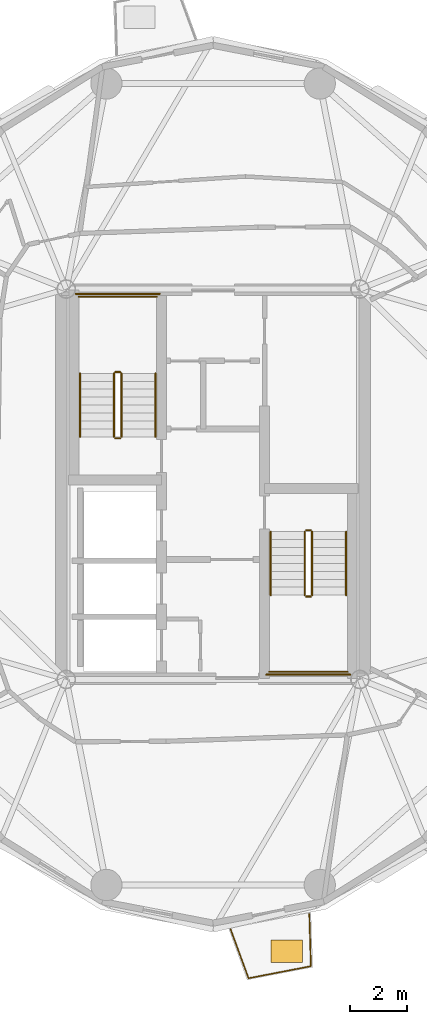
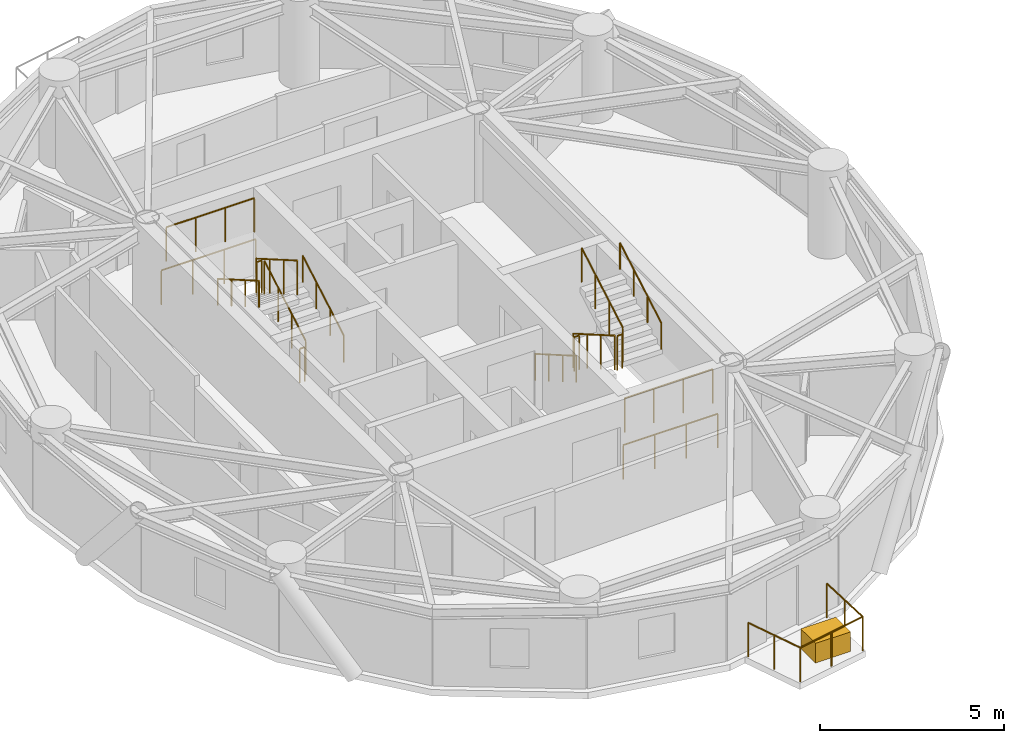
# One storey, part 14 of 16: 17 railings, 1 covering.
"""IFC4 building model written with IfcOpenShell, lengths in metres."""

from ifc_helpers import new_model, si_unit, direction, frame, origin, origin_2d, place, context, subcontext, project, spatial, rectangle, circle, extrude, source, transform, mapped, material, layer, layer_set, type_object, element, save


model = new_model("IFC4")

# Units and contexts
model_context = context("Model", 3, precision=1e-05, world=origin(), true_north=direction((0.0, 1.0)))
body_context = subcontext(model_context, "Body", "Model", "MODEL_VIEW")
ifc_project = project(units=[si_unit("LENGTHUNIT", "METRE"), si_unit("AREAUNIT", "SQUARE_METRE"), si_unit("VOLUMEUNIT", "CUBIC_METRE"), si_unit("PLANEANGLEUNIT", "RADIAN"), si_unit("MASSUNIT", "GRAM", prefix="KILO")], contexts=[model_context])

# Site, building, storey
site_placement = place(None, origin())
site = spatial("IfcSite", under=ifc_project, at=site_placement, CompositionType="ELEMENT")
building_placement = place(site_placement, origin())
building = spatial("IfcBuilding", under=site, at=building_placement, Name="Cununo Teusaquillo Station Towers", CompositionType="ELEMENT")
storey_placement = place(building_placement, frame((0.0, 0.0, 217.030029296875)))
storey = spatial("IfcBuildingStorey", under=building, at=storey_placement, Name="L69", CompositionType="ELEMENT", Elevation=217.030029296875)

# Railings
ifc_material_1 = material(Name="Anodised dark bronze aluminium EN AW-6063-T6", Category="aluminium")
railing_type_1 = type_object("IfcRailingType", Name="RL-EXT-GUARD", PredefinedType="GUARDRAIL", material=ifc_material_1)
railing_1_placement = place(storey_placement, frame((19.892578125, 9.356201171875, 0.0)))
element("IfcRailing", 1, at=railing_1_placement, inside=storey, type_object=railing_type_1, Name="L69 Tower A Balcony Guardrail C15", PredefinedType="GUARDRAIL", context=body_context, shape_type="SweptSolid", body=[
    extrude(circle(Radius=0.02392578125, at=origin_2d()), frame((0.0, 0.0, 1.1259765625), z_axis=(0.030305152758, -0.999540693377, 0.0), x_axis=(0.999540693377, 0.030305152758, 0.0)), (0.0, 0.0, 1.0), 1.8447265625),
    extrude(circle(Radius=0.02392578125, at=origin_2d()), frame((0.055908203125, -1.843994140625, 1.1259765625), z_axis=(-0.981834932982, -0.18973709278, 0.0), x_axis=(0.18973709278, -0.981834932982, 0.0)), (0.0, 0.0, 1.0), 2.239013671875),
    extrude(circle(Radius=0.02392578125, at=origin_2d()), frame((-2.142333984375, -2.268798828125, 1.1259765625), z_axis=(-0.344196323776, 0.938897699805, 0.0), x_axis=(-0.938897699805, -0.344196323776, 0.0)), (0.0, 0.0, 1.0), 1.844970703125),
    extrude(circle(Radius=0.02099609375, at=origin_2d()), origin(), (0.0, 0.0, 1.0), 1.101806640625),
    extrude(circle(Radius=0.02099609375, at=origin_2d()), frame((0.02783203125, -0.921875, 0.0)), (0.0, 0.0, 1.0), 1.101806640625),
    extrude(circle(Radius=0.02099609375, at=origin_2d()), frame((0.055908203125, -1.843994140625, 0.0)), (0.0, 0.0, 1.0), 1.101806640625),
    extrude(circle(Radius=0.02099609375, at=origin_2d()), frame((-1.043212890625, -2.056396484375, 0.0)), (0.0, 0.0, 1.0), 1.101806640625),
    extrude(circle(Radius=0.02099609375, at=origin_2d()), frame((-2.142333984375, -2.268798828125, 0.0)), (0.0, 0.0, 1.0), 1.101806640625),
    extrude(circle(Radius=0.02099609375, at=origin_2d()), frame((-2.4599609375, -1.40283203125, 0.0)), (0.0, 0.0, 1.0), 1.101806640625),
    extrude(circle(Radius=0.02099609375, at=origin_2d()), frame((-2.77734375, -0.53662109375, 0.0)), (0.0, 0.0, 1.0), 1.101806640625),
])
ifc_material_2 = material(Name="Steel EN 10025-2 S355J2", Category="steel")
railing_type_2 = type_object("IfcRailingType", Name="RL-INT-GUARD", PredefinedType="GUARDRAIL", material=ifc_material_2)
railing_2_placement = place(storey_placement, frame((13.27001953125, 26.169921875, 0.16162109375)))
element("IfcRailing", 2, at=railing_2_placement, inside=storey, type_object=railing_type_2, Name="L69 ST-T1-1 stair guard 1", PredefinedType="GUARDRAIL", context=body_context, shape_type="SweptSolid", body=[
    extrude(circle(Radius=0.02392578125, at=origin_2d()), frame((0.0, 0.0, 1.1259765625), z_axis=(0.0, 0.865992244559, 0.500057429065), x_axis=(-1.0, 0.0, 0.0)), (0.0, 0.0, 1.0), 2.586669921875),
    extrude(circle(Radius=0.02099609375, at=origin_2d()), origin(), (0.0, 0.0, 1.0), 1.101806640625),
    extrude(circle(Radius=0.02099609375, at=origin_2d()), frame((0.0, 0.74658203125, 0.43115234375)), (0.0, 0.0, 1.0), 1.101806640625),
    extrude(circle(Radius=0.02099609375, at=origin_2d()), frame((0.0, 1.493408203125, 0.8623046875)), (0.0, 0.0, 1.0), 1.101806640625),
    extrude(circle(Radius=0.02099609375, at=origin_2d()), frame((0.0, 2.239990234375, 1.29345703125)), (0.0, 0.0, 1.0), 1.101806640625),
])
railing_3_placement = place(storey_placement, frame((13.219970703125, 28.4599609375, 1.455078125)))
element("IfcRailing", 3, at=railing_3_placement, inside=storey, type_object=railing_type_2, Name="L69 ST-T1-1 stair guard 2", PredefinedType="GUARDRAIL", context=body_context, shape_type="SweptSolid", body=[
    extrude(circle(Radius=0.02392578125, at=origin_2d()), frame((0.0, 0.0, 1.1259765625), z_axis=(-1.0, 0.0, 0.0), x_axis=(0.0, -1.0, 0.0)), (0.0, 0.0, 1.0), 0.159912109375),
    extrude(circle(Radius=0.02099609375, at=origin_2d()), origin(), (0.0, 0.0, 1.0), 1.101806640625),
    extrude(circle(Radius=0.02099609375, at=origin_2d()), frame((-0.159912109375, 0.0, 0.0)), (0.0, 0.0, 1.0), 1.101806640625),
])
railing_4_placement = place(storey_placement, frame((14.52001953125, 31.110107421875, 1.455078125)))
element("IfcRailing", 4, at=railing_4_placement, inside=storey, type_object=railing_type_2, Name="L69 ST-T1-1 stair guard 3", PredefinedType="GUARDRAIL", context=body_context, shape_type="SweptSolid", body=[
    extrude(circle(Radius=0.02392578125, at=origin_2d()), frame((0.0, 0.0, 1.1259765625), z_axis=(-1.0, 0.0, 0.0), x_axis=(0.0, -1.0, 0.0)), (0.0, 0.0, 1.0), 2.760009765625),
    extrude(circle(Radius=0.02099609375, at=origin_2d()), origin(), (0.0, 0.0, 1.0), 1.101806640625),
    extrude(circle(Radius=0.02099609375, at=origin_2d()), frame((-0.919921875, 0.0, 0.0)), (0.0, 0.0, 1.0), 1.101806640625),
    extrude(circle(Radius=0.02099609375, at=origin_2d()), frame((-1.840087890625, 0.0, 0.0)), (0.0, 0.0, 1.0), 1.101806640625),
    extrude(circle(Radius=0.02099609375, at=origin_2d()), frame((-2.760009765625, 0.0, 0.0)), (0.0, 0.0, 1.0), 1.101806640625),
])
railing_5_placement = place(storey_placement, frame((13.010009765625, 28.409912109375, 1.61669921875)))
element("IfcRailing", 5, at=railing_5_placement, inside=storey, type_object=railing_type_2, Name="L69 ST-T1-1 stair guard 4", PredefinedType="GUARDRAIL", context=body_context, shape_type="SweptSolid", body=[
    extrude(circle(Radius=0.02392578125, at=origin_2d()), frame((0.0, 0.0, 1.1259765625), z_axis=(0.0, -0.866033117094, 0.499986639918), x_axis=(1.0, 0.0, 0.0)), (0.0, 0.0, 1.0), 2.58642578125),
    extrude(circle(Radius=0.02099609375, at=origin_2d()), origin(), (0.0, 0.0, 1.0), 1.101806640625),
    extrude(circle(Radius=0.02099609375, at=origin_2d()), frame((0.0, -0.74658203125, 0.43115234375)), (0.0, 0.0, 1.0), 1.101806640625),
    extrude(circle(Radius=0.02099609375, at=origin_2d()), frame((0.0, -1.493408203125, 0.862060546875)), (0.0, 0.0, 1.0), 1.101806640625),
    extrude(circle(Radius=0.02099609375, at=origin_2d()), frame((0.0, -2.239990234375, 1.293212890625)), (0.0, 0.0, 1.0), 1.101806640625),
])
railing_6_placement = place(storey_placement, frame((13.219970703125, 26.1201171875, 0.0)))
element("IfcRailing", 6, at=railing_6_placement, inside=storey, type_object=railing_type_2, Name="L69 ST-T1-1 stair guard 5", PredefinedType="GUARDRAIL", context=body_context, shape_type="SweptSolid", body=[
    extrude(circle(Radius=0.02392578125, at=origin_2d()), frame((0.0, 0.0, 1.1259765625), z_axis=(-1.0, 0.0, 0.0), x_axis=(0.0, -1.0, 0.0)), (0.0, 0.0, 1.0), 0.159912109375),
    extrude(circle(Radius=0.02099609375, at=origin_2d()), origin(), (0.0, 0.0, 1.0), 1.101806640625),
    extrude(circle(Radius=0.02099609375, at=origin_2d()), frame((-0.159912109375, 0.0, 0.0)), (0.0, 0.0, 1.0), 1.101806640625),
])
railing_7_placement = place(storey_placement, frame((14.6201171875, 31.2099609375, 0.0)))
element("IfcRailing", 7, at=railing_7_placement, inside=storey, type_object=railing_type_2, Name="L69 ST-T1-1 stair guard 6", PredefinedType="GUARDRAIL", context=body_context, shape_type="SweptSolid", body=[
    extrude(circle(Radius=0.02392578125, at=origin_2d()), frame((0.0, 0.0, 1.1259765625), z_axis=(-1.0, 0.0, 0.0), x_axis=(0.0, -1.0, 0.0)), (0.0, 0.0, 1.0), 2.960205078125),
    extrude(circle(Radius=0.02099609375, at=origin_2d()), origin(), (0.0, 0.0, 1.0), 1.101806640625),
    extrude(circle(Radius=0.02099609375, at=origin_2d()), frame((-0.98681640625, 0.0, 0.0)), (0.0, 0.0, 1.0), 1.101806640625),
    extrude(circle(Radius=0.02099609375, at=origin_2d()), frame((-1.973388671875, 0.0, 0.0)), (0.0, 0.0, 1.0), 1.101806640625),
    extrude(circle(Radius=0.02099609375, at=origin_2d()), frame((-2.960205078125, 0.0, 0.0)), (0.0, 0.0, 1.0), 1.101806640625),
])
railing_8_placement = place(storey_placement, frame((19.72998046875, 22.830078125, 0.16162109375)))
element("IfcRailing", 8, at=railing_8_placement, inside=storey, type_object=railing_type_2, Name="L69 ST-T1-2 stair guard 1", PredefinedType="GUARDRAIL", context=body_context, shape_type="SweptSolid", body=[
    extrude(circle(Radius=0.02392578125, at=origin_2d()), frame((0.0, 0.0, 1.1259765625), z_axis=(0.0, -0.865992244559, 0.500057429065), x_axis=(1.0, 0.0, 0.0)), (0.0, 0.0, 1.0), 2.586669921875),
    extrude(circle(Radius=0.02099609375, at=origin_2d()), origin(), (0.0, 0.0, 1.0), 1.101806640625),
    extrude(circle(Radius=0.02099609375, at=origin_2d()), frame((0.0, -0.74658203125, 0.43115234375)), (0.0, 0.0, 1.0), 1.101806640625),
    extrude(circle(Radius=0.02099609375, at=origin_2d()), frame((0.0, -1.493408203125, 0.8623046875)), (0.0, 0.0, 1.0), 1.101806640625),
    extrude(circle(Radius=0.02099609375, at=origin_2d()), frame((0.0, -2.239990234375, 1.29345703125)), (0.0, 0.0, 1.0), 1.101806640625),
])
railing_9_placement = place(storey_placement, frame((19.780029296875, 20.5400390625, 1.455078125)))
element("IfcRailing", 9, at=railing_9_placement, inside=storey, type_object=railing_type_2, Name="L69 ST-T1-2 stair guard 2", PredefinedType="GUARDRAIL", context=body_context, shape_type="SweptSolid", body=[
    extrude(circle(Radius=0.02392578125, at=origin_2d()), frame((0.0, 0.0, 1.1259765625), z_axis=(1.0, 0.0, 0.0), x_axis=(0.0, 1.0, 0.0)), (0.0, 0.0, 1.0), 0.159912109375),
    extrude(circle(Radius=0.02099609375, at=origin_2d()), origin(), (0.0, 0.0, 1.0), 1.101806640625),
    extrude(circle(Radius=0.02099609375, at=origin_2d()), frame((0.159912109375, 0.0, 0.0)), (0.0, 0.0, 1.0), 1.101806640625),
])
railing_10_placement = place(storey_placement, frame((18.47998046875, 17.889892578125, 1.455078125)))
element("IfcRailing", 10, at=railing_10_placement, inside=storey, type_object=railing_type_2, Name="L69 ST-T1-2 stair guard 3", PredefinedType="GUARDRAIL", context=body_context, shape_type="SweptSolid", body=[
    extrude(circle(Radius=0.02392578125, at=origin_2d()), frame((0.0, 0.0, 1.1259765625), z_axis=(1.0, 0.0, 0.0), x_axis=(0.0, 1.0, 0.0)), (0.0, 0.0, 1.0), 2.760009765625),
    extrude(circle(Radius=0.02099609375, at=origin_2d()), origin(), (0.0, 0.0, 1.0), 1.101806640625),
    extrude(circle(Radius=0.02099609375, at=origin_2d()), frame((0.919921875, 0.0, 0.0)), (0.0, 0.0, 1.0), 1.101806640625),
    extrude(circle(Radius=0.02099609375, at=origin_2d()), frame((1.840087890625, 0.0, 0.0)), (0.0, 0.0, 1.0), 1.101806640625),
    extrude(circle(Radius=0.02099609375, at=origin_2d()), frame((2.760009765625, 0.0, 0.0)), (0.0, 0.0, 1.0), 1.101806640625),
])
railing_11_placement = place(storey_placement, frame((19.989990234375, 20.590087890625, 1.61669921875)))
element("IfcRailing", 11, at=railing_11_placement, inside=storey, type_object=railing_type_2, Name="L69 ST-T1-2 stair guard 4", PredefinedType="GUARDRAIL", context=body_context, shape_type="SweptSolid", body=[
    extrude(circle(Radius=0.02392578125, at=origin_2d()), frame((0.0, 0.0, 1.1259765625), z_axis=(0.0, 0.866033117094, 0.499986639918), x_axis=(-1.0, 0.0, 0.0)), (0.0, 0.0, 1.0), 2.58642578125),
    extrude(circle(Radius=0.02099609375, at=origin_2d()), origin(), (0.0, 0.0, 1.0), 1.101806640625),
    extrude(circle(Radius=0.02099609375, at=origin_2d()), frame((0.0, 0.74658203125, 0.43115234375)), (0.0, 0.0, 1.0), 1.101806640625),
    extrude(circle(Radius=0.02099609375, at=origin_2d()), frame((0.0, 1.493408203125, 0.862060546875)), (0.0, 0.0, 1.0), 1.101806640625),
    extrude(circle(Radius=0.02099609375, at=origin_2d()), frame((0.0, 2.239990234375, 1.293212890625)), (0.0, 0.0, 1.0), 1.101806640625),
])
railing_12_placement = place(storey_placement, frame((19.780029296875, 22.8798828125, 0.0)))
element("IfcRailing", 12, at=railing_12_placement, inside=storey, type_object=railing_type_2, Name="L69 ST-T1-2 stair guard 5", PredefinedType="GUARDRAIL", context=body_context, shape_type="SweptSolid", body=[
    extrude(circle(Radius=0.02392578125, at=origin_2d()), frame((0.0, 0.0, 1.1259765625), z_axis=(1.0, 0.0, 0.0), x_axis=(0.0, 1.0, 0.0)), (0.0, 0.0, 1.0), 0.159912109375),
    extrude(circle(Radius=0.02099609375, at=origin_2d()), origin(), (0.0, 0.0, 1.0), 1.101806640625),
    extrude(circle(Radius=0.02099609375, at=origin_2d()), frame((0.159912109375, 0.0, 0.0)), (0.0, 0.0, 1.0), 1.101806640625),
])
railing_13_placement = place(storey_placement, frame((18.3798828125, 17.7900390625, 0.0)))
element("IfcRailing", 13, at=railing_13_placement, inside=storey, type_object=railing_type_2, Name="L69 ST-T1-2 stair guard 6", PredefinedType="GUARDRAIL", context=body_context, shape_type="SweptSolid", body=[
    extrude(circle(Radius=0.02392578125, at=origin_2d()), frame((0.0, 0.0, 1.1259765625), z_axis=(1.0, 0.0, 0.0), x_axis=(0.0, 1.0, 0.0)), (0.0, 0.0, 1.0), 2.960205078125),
    extrude(circle(Radius=0.02099609375, at=origin_2d()), origin(), (0.0, 0.0, 1.0), 1.101806640625),
    extrude(circle(Radius=0.02099609375, at=origin_2d()), frame((0.98681640625, 0.0, 0.0)), (0.0, 0.0, 1.0), 1.101806640625),
    extrude(circle(Radius=0.02099609375, at=origin_2d()), frame((1.973388671875, 0.0, 0.0)), (0.0, 0.0, 1.0), 1.101806640625),
    extrude(circle(Radius=0.02099609375, at=origin_2d()), frame((2.960205078125, 0.0, 0.0)), (0.0, 0.0, 1.0), 1.101806640625),
])
ifc_material_3 = material(Name="Steel EN 10025-2 S355J2", Category="steel")
railing_type_3 = type_object("IfcRailingType", Name="RL-INT-HRAIL", PredefinedType="HANDRAIL", material=ifc_material_3)
railing_14_placement = place(storey_placement, frame((14.469970703125, 26.169921875, 0.16162109375)))
element("IfcRailing", 14, at=railing_14_placement, inside=storey, type_object=railing_type_3, Name="L69 ST-T1-1 stair handrail 1", PredefinedType="HANDRAIL", context=body_context, shape_type="SweptSolid", body=[
    extrude(circle(Radius=0.02392578125, at=origin_2d()), frame((0.0, 0.0, 0.8759765625), z_axis=(0.0, 0.865992244559, 0.500057429065), x_axis=(-1.0, 0.0, 0.0)), (0.0, 0.0, 1.0), 2.586669921875),
    extrude(circle(Radius=0.02099609375, at=origin_2d()), origin(), (0.0, 0.0, 1.0), 0.851806640625),
    extrude(circle(Radius=0.02099609375, at=origin_2d()), frame((0.0, 0.74658203125, 0.43115234375)), (0.0, 0.0, 1.0), 0.851806640625),
    extrude(circle(Radius=0.02099609375, at=origin_2d()), frame((0.0, 1.493408203125, 0.8623046875)), (0.0, 0.0, 1.0), 0.851806640625),
    extrude(circle(Radius=0.02099609375, at=origin_2d()), frame((0.0, 2.239990234375, 1.29345703125)), (0.0, 0.0, 1.0), 0.851806640625),
])
railing_15_placement = place(storey_placement, frame((11.81005859375, 28.409912109375, 1.61669921875)))
element("IfcRailing", 15, at=railing_15_placement, inside=storey, type_object=railing_type_3, Name="L69 ST-T1-1 stair handrail 2", PredefinedType="HANDRAIL", context=body_context, shape_type="SweptSolid", body=[
    extrude(circle(Radius=0.02392578125, at=origin_2d()), frame((0.0, 0.0, 0.8759765625), z_axis=(0.0, -0.866033117094, 0.499986639918), x_axis=(1.0, 0.0, 0.0)), (0.0, 0.0, 1.0), 2.58642578125),
    extrude(circle(Radius=0.02099609375, at=origin_2d()), origin(), (0.0, 0.0, 1.0), 0.851806640625),
    extrude(circle(Radius=0.02099609375, at=origin_2d()), frame((0.0, -0.74658203125, 0.43115234375)), (0.0, 0.0, 1.0), 0.851806640625),
    extrude(circle(Radius=0.02099609375, at=origin_2d()), frame((0.0, -1.493408203125, 0.862060546875)), (0.0, 0.0, 1.0), 0.851806640625),
    extrude(circle(Radius=0.02099609375, at=origin_2d()), frame((0.0, -2.239990234375, 1.293212890625)), (0.0, 0.0, 1.0), 0.851806640625),
])
railing_16_placement = place(storey_placement, frame((18.530029296875, 22.830078125, 0.16162109375)))
element("IfcRailing", 16, at=railing_16_placement, inside=storey, type_object=railing_type_3, Name="L69 ST-T1-2 stair handrail 1", PredefinedType="HANDRAIL", context=body_context, shape_type="SweptSolid", body=[
    extrude(circle(Radius=0.02392578125, at=origin_2d()), frame((0.0, 0.0, 0.8759765625), z_axis=(0.0, -0.865992244559, 0.500057429065), x_axis=(1.0, 0.0, 0.0)), (0.0, 0.0, 1.0), 2.586669921875),
    extrude(circle(Radius=0.02099609375, at=origin_2d()), origin(), (0.0, 0.0, 1.0), 0.851806640625),
    extrude(circle(Radius=0.02099609375, at=origin_2d()), frame((0.0, -0.74658203125, 0.43115234375)), (0.0, 0.0, 1.0), 0.851806640625),
    extrude(circle(Radius=0.02099609375, at=origin_2d()), frame((0.0, -1.493408203125, 0.8623046875)), (0.0, 0.0, 1.0), 0.851806640625),
    extrude(circle(Radius=0.02099609375, at=origin_2d()), frame((0.0, -2.239990234375, 1.29345703125)), (0.0, 0.0, 1.0), 0.851806640625),
])
railing_17_placement = place(storey_placement, frame((21.18994140625, 20.590087890625, 1.61669921875)))
element("IfcRailing", 17, at=railing_17_placement, inside=storey, type_object=railing_type_3, Name="L69 ST-T1-2 stair handrail 2", PredefinedType="HANDRAIL", context=body_context, shape_type="SweptSolid", body=[
    extrude(circle(Radius=0.02392578125, at=origin_2d()), frame((0.0, 0.0, 0.8759765625), z_axis=(0.0, 0.866033117094, 0.499986639918), x_axis=(-1.0, 0.0, 0.0)), (0.0, 0.0, 1.0), 2.58642578125),
    extrude(circle(Radius=0.02099609375, at=origin_2d()), origin(), (0.0, 0.0, 1.0), 0.851806640625),
    extrude(circle(Radius=0.02099609375, at=origin_2d()), frame((0.0, 0.74658203125, 0.43115234375)), (0.0, 0.0, 1.0), 0.851806640625),
    extrude(circle(Radius=0.02099609375, at=origin_2d()), frame((0.0, 1.493408203125, 0.862060546875)), (0.0, 0.0, 1.0), 0.851806640625),
    extrude(circle(Radius=0.02099609375, at=origin_2d()), frame((0.0, 2.239990234375, 1.293212890625)), (0.0, 0.0, 1.0), 0.851806640625),
])

# Covering
ifc_material_4 = material(Name="Architectural GRC planter shell and engineered root-zone substrate", Category="concrete")
ifc_layer = layer(ifc_material_4, 0.64990234375)
ifc_layer_set = layer_set([ifc_layer], Name="Architectural GRC planter shell and engineered root-zone substrate")
covering_type = type_object("IfcCoveringType", Name="COV-TREE-PLANTER", PredefinedType="CLADDING", material=ifc_layer_set)
shared_shape = source(origin(), body_context, "Body", "SweptSolid", [
    extrude(rectangle(XDim=1.10009765625, YDim=0.800048828125, at=origin_2d()), origin(), (0.0, 0.0, 1.0), 0.64990234375),
])
covering_placement = place(storey_placement, frame((19.097900390625, 8.04345703125, 0.0), z_axis=(0.0, 0.0, 1.0), x_axis=(1.0, 0.0, 0.0)))
element("IfcCovering", 18, at=covering_placement, inside=storey, type_object=covering_type, Name="L69 Tower A Balcony Tree PLANTER C15", PredefinedType="CLADDING", context=body_context, shape_type="MappedRepresentation", body=[
    mapped(shared_shape, transform((0.0, 0.0, 0.0), x_axis=(1.0, 0.0, 0.0), y_axis=(0.0, 1.0, 0.0), z_axis=(0.0, 0.0, 1.0), scale=1.0)),
])

save(model, "model.ifc")
